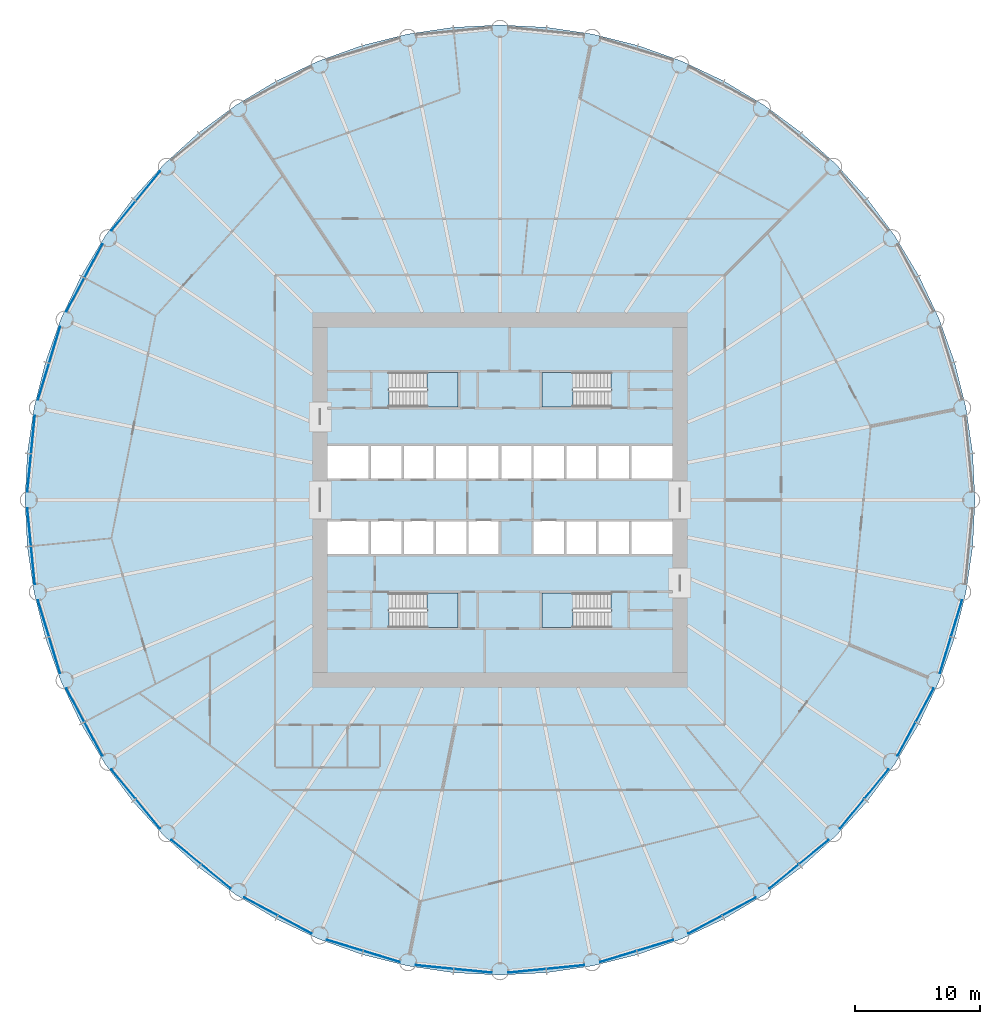
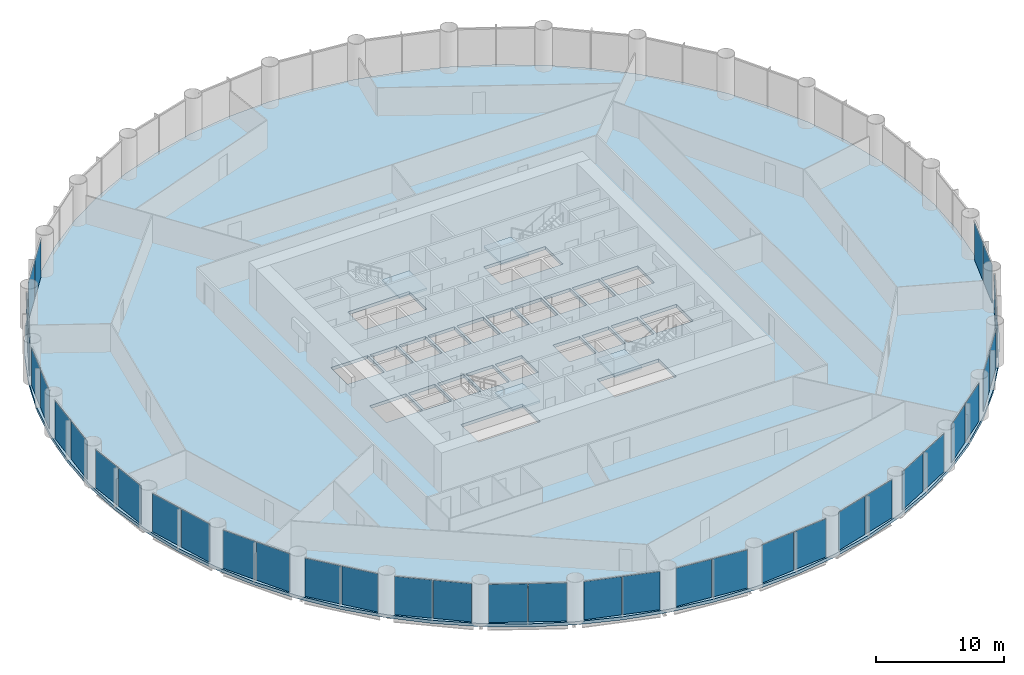
# One storey, part 8 of 15: 38 plates, 5 slabs, 23 elements without a shape of their own.
"""IFC4 building model written with IfcOpenShell, lengths in metres."""

from ifc_helpers import new_model, si_unit, direction, frame, origin, origin_2d, place, context, subcontext, project, spatial, polyline, rectangle, outline, extrude, material, layer, layer_set, type_object, element, aggregate, save


model = new_model("IFC4")

# Units and contexts
model_context = context("Model", 3, precision=1e-05, world=origin(), true_north=direction((0.0, 1.0)))
body_context = subcontext(model_context, "Body", "Model", "MODEL_VIEW")
ifc_project = project(units=[si_unit("LENGTHUNIT", "METRE"), si_unit("AREAUNIT", "SQUARE_METRE"), si_unit("VOLUMEUNIT", "CUBIC_METRE"), si_unit("PLANEANGLEUNIT", "RADIAN"), si_unit("MASSUNIT", "GRAM", prefix="KILO")], contexts=[model_context])

# Site, building, storey
site_placement = place(None, origin())
site = spatial("IfcSite", under=ifc_project, at=site_placement, CompositionType="ELEMENT")
building_placement = place(site_placement, origin())
building = spatial("IfcBuilding", under=site, at=building_placement, Name="Corvane Civic Tower", CompositionType="ELEMENT")
storey_placement = place(building_placement, frame((0.0, 0.0, 41.0)))
storey = spatial("IfcBuildingStorey", under=building, at=storey_placement, Name="L08", CompositionType="ELEMENT", Elevation=41.0)

# Slab
ifc_material_1 = material(Name="Concrete C40/50", Category="concrete")
ifc_layer_1 = layer(ifc_material_1, 0.300048828125)
ifc_layer_set_1 = layer_set([ifc_layer_1], Name="Concrete C40/50")
slab_type_1 = type_object("IfcSlabType", Name="FLOOR SLAB 300", PredefinedType="FLOOR", material=ifc_layer_set_1)
slab_1_placement = place(storey_placement, frame((0.0, 0.0, -0.300048828125)))
element("IfcSlab", 1, at=slab_1_placement, inside=storey, type_object=slab_type_1, Name="SLB-L08", PredefinedType="FLOOR", context=body_context, shape_type="SweptSolid", body=[
    extrude(outline(polyline([(0.0, 38.0), (-3.724609375, 37.817138671875), (-7.413330078125, 37.269775390625), (-11.03076171875, 36.36376953125), (-14.5419921875, 35.107421875), (-17.9130859375, 33.512939453125), (-21.111572265625, 31.595947265625), (-24.10693359375, 29.37451171875), (-26.8701171875, 26.8701171875), (-29.37451171875, 24.10693359375), (-31.595947265625, 21.111572265625), (-33.512939453125, 17.9130859375), (-35.107421875, 14.5419921875), (-36.36376953125, 11.03076171875), (-37.269775390625, 7.413330078125), (-37.817138671875, 3.724609375), (-38.0, 0.0), (-37.817138671875, -3.724609375), (-37.269775390625, -7.413330078125), (-36.36376953125, -11.03076171875), (-35.107421875, -14.5419921875), (-33.512939453125, -17.9130859375), (-31.595947265625, -21.111572265625), (-29.37451171875, -24.10693359375), (-26.8701171875, -26.8701171875), (-24.10693359375, -29.37451171875), (-21.111572265625, -31.595947265625), (-17.9130859375, -33.512939453125), (-14.5419921875, -35.107421875), (-11.03076171875, -36.36376953125), (-7.413330078125, -37.269775390625), (-3.724609375, -37.817138671875), (0.0, -38.0), (3.724609375, -37.817138671875), (7.413330078125, -37.269775390625), (11.03076171875, -36.36376953125), (14.5419921875, -35.107421875), (17.9130859375, -33.512939453125), (21.111572265625, -31.595947265625), (24.10693359375, -29.37451171875), (26.8701171875, -26.8701171875), (29.37451171875, -24.10693359375), (31.595947265625, -21.111572265625), (33.512939453125, -17.9130859375), (35.107421875, -14.5419921875), (36.36376953125, -11.03076171875), (37.269775390625, -7.413330078125), (37.817138671875, -3.724609375), (38.0, 0.0), (37.817138671875, 3.724609375), (37.269775390625, 7.413330078125), (36.36376953125, 11.03076171875), (35.107421875, 14.5419921875), (33.512939453125, 17.9130859375), (31.595947265625, 21.111572265625), (29.37451171875, 24.10693359375), (26.8701171875, 26.8701171875), (24.10693359375, 29.37451171875), (21.111572265625, 31.595947265625), (17.9130859375, 33.512939453125), (14.5419921875, 35.107421875), (11.03076171875, 36.36376953125), (7.413330078125, 37.269775390625), (3.724609375, 37.817138671875), (0.0, 38.0)]), holes=[polyline([(-13.800048828125, 4.300048828125), (-10.5, 4.300048828125), (-10.5, 1.699951171875), (-13.800048828125, 1.699951171875), (-13.800048828125, 4.300048828125)]), polyline([(-7.89990234375, 1.699951171875), (-10.300048828125, 1.699951171875), (-10.300048828125, 4.300048828125), (-7.89990234375, 4.300048828125), (-7.89990234375, 1.699951171875)]), polyline([(-7.699951171875, 4.300048828125), (-5.300048828125, 4.300048828125), (-5.300048828125, 1.699951171875), (-7.699951171875, 1.699951171875), (-7.699951171875, 4.300048828125)]), polyline([(-5.10009765625, 4.300048828125), (-2.699951171875, 4.300048828125), (-2.699951171875, 1.699951171875), (-5.10009765625, 1.699951171875), (-5.10009765625, 4.300048828125)]), polyline([(-2.5, 4.300048828125), (-0.10009765625, 4.300048828125), (-0.10009765625, 1.699951171875), (-2.5, 1.699951171875), (-2.5, 4.300048828125)]), polyline([(2.5, 4.300048828125), (2.5, 1.699951171875), (0.10009765625, 1.699951171875), (0.10009765625, 4.300048828125), (2.5, 4.300048828125)]), polyline([(2.699951171875, 4.300048828125), (5.10009765625, 4.300048828125), (5.10009765625, 1.699951171875), (2.699951171875, 1.699951171875), (2.699951171875, 4.300048828125)]), polyline([(5.300048828125, 4.300048828125), (7.699951171875, 4.300048828125), (7.699951171875, 1.699951171875), (5.300048828125, 1.699951171875), (5.300048828125, 4.300048828125)]), polyline([(7.89990234375, 4.300048828125), (10.300048828125, 4.300048828125), (10.300048828125, 1.699951171875), (7.89990234375, 1.699951171875), (7.89990234375, 4.300048828125)]), polyline([(13.800048828125, 1.699951171875), (10.5, 1.699951171875), (10.5, 4.300048828125), (13.800048828125, 4.300048828125), (13.800048828125, 1.699951171875)]), polyline([(-13.800048828125, -1.699951171875), (-10.5, -1.699951171875), (-10.5, -4.300048828125), (-13.800048828125, -4.300048828125), (-13.800048828125, -1.699951171875)]), polyline([(-10.300048828125, -1.699951171875), (-7.89990234375, -1.699951171875), (-7.89990234375, -4.300048828125), (-10.300048828125, -4.300048828125), (-10.300048828125, -1.699951171875)]), polyline([(-7.699951171875, -1.699951171875), (-5.300048828125, -1.699951171875), (-5.300048828125, -4.300048828125), (-7.699951171875, -4.300048828125), (-7.699951171875, -1.699951171875)]), polyline([(-5.10009765625, -1.699951171875), (-2.699951171875, -1.699951171875), (-2.699951171875, -4.300048828125), (-5.10009765625, -4.300048828125), (-5.10009765625, -1.699951171875)]), polyline([(-2.5, -1.699951171875), (-0.10009765625, -1.699951171875), (-0.10009765625, -4.300048828125), (-2.5, -4.300048828125), (-2.5, -1.699951171875)]), polyline([(2.699951171875, -1.699951171875), (5.10009765625, -1.699951171875), (5.10009765625, -4.300048828125), (2.699951171875, -4.300048828125), (2.699951171875, -1.699951171875)]), polyline([(5.300048828125, -1.699951171875), (7.699951171875, -1.699951171875), (7.699951171875, -4.300048828125), (5.300048828125, -4.300048828125), (5.300048828125, -1.699951171875)]), polyline([(7.89990234375, -4.300048828125), (7.89990234375, -1.699951171875), (10.300048828125, -1.699951171875), (10.300048828125, -4.300048828125), (7.89990234375, -4.300048828125)]), polyline([(13.800048828125, -4.300048828125), (10.5, -4.300048828125), (10.5, -1.699951171875), (13.800048828125, -1.699951171875), (13.800048828125, -4.300048828125)]), polyline([(8.889892578125, 10.199951171875), (8.889892578125, 7.449951171875), (3.35009765625, 7.449951171875), (3.35009765625, 10.199951171875), (8.889892578125, 10.199951171875)]), polyline([(-8.889892578125, 7.449951171875), (-8.889892578125, 10.199951171875), (-3.35009765625, 10.199951171875), (-3.35009765625, 7.449951171875), (-8.889892578125, 7.449951171875)]), polyline([(8.889892578125, -7.449951171875), (8.889892578125, -10.199951171875), (3.35009765625, -10.199951171875), (3.35009765625, -7.449951171875), (8.889892578125, -7.449951171875)]), polyline([(-8.889892578125, -10.199951171875), (-8.889892578125, -7.449951171875), (-3.35009765625, -7.449951171875), (-3.35009765625, -10.199951171875), (-8.889892578125, -10.199951171875)])]), origin(), (0.0, 0.0, 1.0), 0.300048828125),
])

# Stair, slab
ifc_material_2 = material(Name="Concrete C40/50", Category="concrete")
stair_type = type_object("IfcStairType", Name="ST-STAIR-HALFTURN", PredefinedType="HALF_TURN_STAIR", material=ifc_material_2)
stair_1_placement = place(storey_placement, origin())
stair_1 = element("IfcStair", 2, at=stair_1_placement, inside=storey, type_object=stair_type, Name="L08 Exit stair ST1", PredefinedType="HALF_TURN_STAIR")
ifc_material_3 = material(Name="Concrete C40/50", Category="concrete")
ifc_layer_2 = layer(ifc_material_3, 0.199951171875)
ifc_layer_set_2 = layer_set([ifc_layer_2], Name="Concrete C40/50")
slab_type_2 = type_object("IfcSlabType", Name="ST-LANDING-RC", PredefinedType="LANDING", material=ifc_layer_set_2)
slab_2_placement = place(storey_placement, frame((0.0, 0.0, 1.800048828125)))
slab_2 = element("IfcSlab", 3, at=slab_2_placement, type_object=slab_type_2, Name="ST1 landing 1", PredefinedType="LANDING", context=body_context, shape_type="SweptSolid", body=[
    extrude(outline(polyline([(5.820068359375, 10.199951171875), (3.35009765625, 10.199951171875), (3.35009765625, 7.449951171875), (5.820068359375, 7.449951171875), (5.820068359375, 10.199951171875)])), origin(), (0.0, 0.0, 1.0), 0.199951171875),
])
aggregate(stair_1, [slab_2])

stair_2_placement = place(storey_placement, origin())
stair_2 = element("IfcStair", 4, at=stair_2_placement, inside=storey, type_object=stair_type, Name="L08 Exit stair ST2", PredefinedType="HALF_TURN_STAIR")
slab_3_placement = place(storey_placement, frame((0.0, 0.0, 1.800048828125)))
slab_3 = element("IfcSlab", 5, at=slab_3_placement, type_object=slab_type_2, Name="ST2 landing 1", PredefinedType="LANDING", context=body_context, shape_type="SweptSolid", body=[
    extrude(outline(polyline([(5.820068359375, -7.449951171875), (3.35009765625, -7.449951171875), (3.35009765625, -10.199951171875), (5.820068359375, -10.199951171875), (5.820068359375, -7.449951171875)])), origin(), (0.0, 0.0, 1.0), 0.199951171875),
])
aggregate(stair_2, [slab_3])

stair_3_placement = place(storey_placement, origin())
stair_3 = element("IfcStair", 6, at=stair_3_placement, inside=storey, type_object=stair_type, Name="L08 Exit stair ST3", PredefinedType="HALF_TURN_STAIR")
slab_4_placement = place(storey_placement, frame((0.0, 0.0, 1.800048828125)))
slab_4 = element("IfcSlab", 7, at=slab_4_placement, type_object=slab_type_2, Name="ST3 landing 1", PredefinedType="LANDING", context=body_context, shape_type="SweptSolid", body=[
    extrude(outline(polyline([(-5.820068359375, -10.199951171875), (-3.35009765625, -10.199951171875), (-3.35009765625, -7.449951171875), (-5.820068359375, -7.449951171875), (-5.820068359375, -10.199951171875)])), origin(), (0.0, 0.0, 1.0), 0.199951171875),
])
aggregate(stair_3, [slab_4])

stair_4_placement = place(storey_placement, origin())
stair_4 = element("IfcStair", 8, at=stair_4_placement, inside=storey, type_object=stair_type, Name="L08 Exit stair ST4", PredefinedType="HALF_TURN_STAIR")
slab_5_placement = place(storey_placement, frame((0.0, 0.0, 1.800048828125)))
slab_5 = element("IfcSlab", 9, at=slab_5_placement, type_object=slab_type_2, Name="ST4 landing 1", PredefinedType="LANDING", context=body_context, shape_type="SweptSolid", body=[
    extrude(outline(polyline([(-5.820068359375, 7.449951171875), (-3.35009765625, 7.449951171875), (-3.35009765625, 10.199951171875), (-5.820068359375, 10.199951171875), (-5.820068359375, 7.449951171875)])), origin(), (0.0, 0.0, 1.0), 0.199951171875),
])
aggregate(stair_4, [slab_5])

# Curtain wall, plates
ifc_material_4 = material(Name="Anodised aluminium bronze", Category="aluminium")
curtain_wall_type = type_object("IfcCurtainWallType", Name="TOWER CW-T1 STICK CURTAIN WALL", PredefinedType="NOTDEFINED", material=ifc_material_4)
curtain_wall_1_placement = place(storey_placement, origin())
curtain_wall_1 = element("IfcCurtainWall", 10, at=curtain_wall_1_placement, inside=storey, type_object=curtain_wall_type, Name="Curtain wall CW-T1 L08 bay 10", PredefinedType="NOTDEFINED")
ifc_material_5 = material(Name="Tinted glass", Category="glass")
ifc_layer_3 = layer(ifc_material_5, 0.035888671875)
ifc_layer_set_3 = layer_set([ifc_layer_3], Name="Tinted glass")
plate_type = type_object("IfcPlateType", Name="TOWER CW-T1 PANEL IGU36", PredefinedType="CURTAIN_PANEL", material=ifc_layer_set_3)
plate_1_placement = place(storey_placement, frame((36.522705078125, -9.46533203125, 0.0), z_axis=(0.0, 0.0, 1.0), x_axis=(-0.290278397654, -0.956942240606, 0.0)))
plate_1 = element("IfcPlate", 11, at=plate_1_placement, type_object=plate_type, Name="Glass panel CW-T1 L08 10.1", PredefinedType="CURTAIN_PANEL", context=body_context, shape_type="SweptSolid", body=[
    extrude(rectangle(XDim=3.008544921875, YDim=0.035888671875, at=origin_2d()), origin(), (0.0, 0.0, 1.0), 3.6298828125),
])
plate_2_placement = place(storey_placement, frame((35.6259765625, -12.4208984375, 0.0), z_axis=(0.0, 0.0, 1.0), x_axis=(-0.290278397654, -0.956942240606, 0.0)))
plate_2 = element("IfcPlate", 12, at=plate_2_placement, type_object=plate_type, Name="Glass panel CW-T1 L08 10.2", PredefinedType="CURTAIN_PANEL", context=body_context, shape_type="SweptSolid", body=[
    extrude(rectangle(XDim=3.008544921875, YDim=0.035888671875, at=origin_2d()), origin(), (0.0, 0.0, 1.0), 3.6298828125),
])
aggregate(curtain_wall_1, [plate_1, plate_2])

curtain_wall_2_placement = place(storey_placement, origin())
curtain_wall_2 = element("IfcCurtainWall", 13, at=curtain_wall_2_placement, inside=storey, type_object=curtain_wall_type, Name="Curtain wall CW-T1 L08 bay 11", PredefinedType="NOTDEFINED")
plate_3_placement = place(storey_placement, frame((33.974365234375, -16.40869140625, 0.0), z_axis=(0.0, 0.0, 1.0), x_axis=(-0.471403725359, -0.881917528864, 0.0)))
plate_3 = element("IfcPlate", 14, at=plate_3_placement, type_object=plate_type, Name="Glass panel CW-T1 L08 11.1", PredefinedType="CURTAIN_PANEL", context=body_context, shape_type="SweptSolid", body=[
    extrude(rectangle(XDim=3.008544921875, YDim=0.035888671875, at=origin_2d()), origin(), (0.0, 0.0, 1.0), 3.6298828125),
])
plate_4_placement = place(storey_placement, frame((32.518310546875, -19.132568359375, 0.0), z_axis=(0.0, 0.0, 1.0), x_axis=(-0.471403725359, -0.881917528864, 0.0)))
plate_4 = element("IfcPlate", 15, at=plate_4_placement, type_object=plate_type, Name="Glass panel CW-T1 L08 11.2", PredefinedType="CURTAIN_PANEL", context=body_context, shape_type="SweptSolid", body=[
    extrude(rectangle(XDim=3.008544921875, YDim=0.035888671875, at=origin_2d()), origin(), (0.0, 0.0, 1.0), 3.6298828125),
])
aggregate(curtain_wall_2, [plate_3, plate_4])

curtain_wall_3_placement = place(storey_placement, origin())
curtain_wall_3 = element("IfcCurtainWall", 16, at=curtain_wall_3_placement, inside=storey, type_object=curtain_wall_type, Name="Curtain wall CW-T1 L08 bay 12", PredefinedType="NOTDEFINED")
plate_5_placement = place(storey_placement, frame((30.120361328125, -22.721435546875, 0.0), z_axis=(0.0, 0.0, 1.0), x_axis=(-0.634397218569, -0.773007224463, 0.0)))
plate_5 = element("IfcPlate", 17, at=plate_5_placement, type_object=plate_type, Name="Glass panel CW-T1 L08 12.1", PredefinedType="CURTAIN_PANEL", context=body_context, shape_type="SweptSolid", body=[
    extrude(rectangle(XDim=3.008544921875, YDim=0.035888671875, at=origin_2d()), origin(), (0.0, 0.0, 1.0), 3.6298828125),
])
plate_6_placement = place(storey_placement, frame((28.160888671875, -25.10888671875, 0.0), z_axis=(0.0, 0.0, 1.0), x_axis=(-0.634397218569, -0.773007224463, 0.0)))
plate_6 = element("IfcPlate", 18, at=plate_6_placement, type_object=plate_type, Name="Glass panel CW-T1 L08 12.2", PredefinedType="CURTAIN_PANEL", context=body_context, shape_type="SweptSolid", body=[
    extrude(rectangle(XDim=3.008544921875, YDim=0.035888671875, at=origin_2d()), origin(), (0.0, 0.0, 1.0), 3.6298828125),
])
aggregate(curtain_wall_3, [plate_5, plate_6])

curtain_wall_4_placement = place(storey_placement, origin())
curtain_wall_4 = element("IfcCurtainWall", 19, at=curtain_wall_4_placement, inside=storey, type_object=curtain_wall_type, Name="Curtain wall CW-T1 L08 bay 13", PredefinedType="NOTDEFINED")
plate_7_placement = place(storey_placement, frame((25.10888671875, -28.160888671875, 0.0), z_axis=(0.0, 0.0, 1.0), x_axis=(-0.773007224463, -0.634397218569, 0.0)))
plate_7 = element("IfcPlate", 20, at=plate_7_placement, type_object=plate_type, Name="Glass panel CW-T1 L08 13.1", PredefinedType="CURTAIN_PANEL", context=body_context, shape_type="SweptSolid", body=[
    extrude(rectangle(XDim=3.008544921875, YDim=0.035888671875, at=origin_2d()), origin(), (0.0, 0.0, 1.0), 3.6298828125),
])
plate_8_placement = place(storey_placement, frame((22.721435546875, -30.120361328125, 0.0), z_axis=(0.0, 0.0, 1.0), x_axis=(-0.773007224463, -0.634397218569, 0.0)))
plate_8 = element("IfcPlate", 21, at=plate_8_placement, type_object=plate_type, Name="Glass panel CW-T1 L08 13.2", PredefinedType="CURTAIN_PANEL", context=body_context, shape_type="SweptSolid", body=[
    extrude(rectangle(XDim=3.008544921875, YDim=0.035888671875, at=origin_2d()), origin(), (0.0, 0.0, 1.0), 3.6298828125),
])
aggregate(curtain_wall_4, [plate_7, plate_8])

curtain_wall_5_placement = place(storey_placement, origin())
curtain_wall_5 = element("IfcCurtainWall", 22, at=curtain_wall_5_placement, inside=storey, type_object=curtain_wall_type, Name="Curtain wall CW-T1 L08 bay 14", PredefinedType="NOTDEFINED")
plate_9_placement = place(storey_placement, frame((19.132568359375, -32.518310546875, 0.0), z_axis=(0.0, 0.0, 1.0), x_axis=(-0.881917528864, -0.471403725359, 0.0)))
plate_9 = element("IfcPlate", 23, at=plate_9_placement, type_object=plate_type, Name="Glass panel CW-T1 L08 14.1", PredefinedType="CURTAIN_PANEL", context=body_context, shape_type="SweptSolid", body=[
    extrude(rectangle(XDim=3.008544921875, YDim=0.035888671875, at=origin_2d()), origin(), (0.0, 0.0, 1.0), 3.6298828125),
])
plate_10_placement = place(storey_placement, frame((16.40869140625, -33.974365234375, 0.0), z_axis=(0.0, 0.0, 1.0), x_axis=(-0.881917528864, -0.471403725359, 0.0)))
plate_10 = element("IfcPlate", 24, at=plate_10_placement, type_object=plate_type, Name="Glass panel CW-T1 L08 14.2", PredefinedType="CURTAIN_PANEL", context=body_context, shape_type="SweptSolid", body=[
    extrude(rectangle(XDim=3.008544921875, YDim=0.035888671875, at=origin_2d()), origin(), (0.0, 0.0, 1.0), 3.6298828125),
])
aggregate(curtain_wall_5, [plate_9, plate_10])

curtain_wall_6_placement = place(storey_placement, origin())
curtain_wall_6 = element("IfcCurtainWall", 25, at=curtain_wall_6_placement, inside=storey, type_object=curtain_wall_type, Name="Curtain wall CW-T1 L08 bay 15", PredefinedType="NOTDEFINED")
plate_11_placement = place(storey_placement, frame((12.4208984375, -35.6259765625, 0.0), z_axis=(0.0, 0.0, 1.0), x_axis=(-0.956942240606, -0.290278397654, 0.0)))
plate_11 = element("IfcPlate", 26, at=plate_11_placement, type_object=plate_type, Name="Glass panel CW-T1 L08 15.1", PredefinedType="CURTAIN_PANEL", context=body_context, shape_type="SweptSolid", body=[
    extrude(rectangle(XDim=3.008544921875, YDim=0.035888671875, at=origin_2d()), origin(), (0.0, 0.0, 1.0), 3.6298828125),
])
plate_12_placement = place(storey_placement, frame((9.46533203125, -36.522705078125, 0.0), z_axis=(0.0, 0.0, 1.0), x_axis=(-0.956942240606, -0.290278397654, 0.0)))
plate_12 = element("IfcPlate", 27, at=plate_12_placement, type_object=plate_type, Name="Glass panel CW-T1 L08 15.2", PredefinedType="CURTAIN_PANEL", context=body_context, shape_type="SweptSolid", body=[
    extrude(rectangle(XDim=3.008544921875, YDim=0.035888671875, at=origin_2d()), origin(), (0.0, 0.0, 1.0), 3.6298828125),
])
aggregate(curtain_wall_6, [plate_11, plate_12])

curtain_wall_7_placement = place(storey_placement, origin())
curtain_wall_7 = element("IfcCurtainWall", 28, at=curtain_wall_7_placement, inside=storey, type_object=curtain_wall_type, Name="Curtain wall CW-T1 L08 bay 16", PredefinedType="NOTDEFINED")
plate_13_placement = place(storey_placement, frame((5.23193359375, -37.36474609375, 0.0), z_axis=(0.0, 0.0, 1.0), x_axis=(-0.995185800248, -0.098006239521, 0.0)))
plate_13 = element("IfcPlate", 29, at=plate_13_placement, type_object=plate_type, Name="Glass panel CW-T1 L08 16.1", PredefinedType="CURTAIN_PANEL", context=body_context, shape_type="SweptSolid", body=[
    extrude(rectangle(XDim=3.008544921875, YDim=0.035888671875, at=origin_2d()), origin(), (0.0, 0.0, 1.0), 3.6298828125),
])
plate_14_placement = place(storey_placement, frame((2.158203125, -37.667236328125, 0.0), z_axis=(0.0, 0.0, 1.0), x_axis=(-0.995185800248, -0.098006239521, 0.0)))
plate_14 = element("IfcPlate", 30, at=plate_14_placement, type_object=plate_type, Name="Glass panel CW-T1 L08 16.2", PredefinedType="CURTAIN_PANEL", context=body_context, shape_type="SweptSolid", body=[
    extrude(rectangle(XDim=3.008544921875, YDim=0.035888671875, at=origin_2d()), origin(), (0.0, 0.0, 1.0), 3.6298828125),
])
aggregate(curtain_wall_7, [plate_13, plate_14])

curtain_wall_8_placement = place(storey_placement, origin())
curtain_wall_8 = element("IfcCurtainWall", 31, at=curtain_wall_8_placement, inside=storey, type_object=curtain_wall_type, Name="Curtain wall CW-T1 L08 bay 17", PredefinedType="NOTDEFINED")
plate_15_placement = place(storey_placement, frame((-2.158203125, -37.667236328125, 0.0), z_axis=(0.0, 0.0, 1.0), x_axis=(-0.995185800248, 0.098006239521, 0.0)))
plate_15 = element("IfcPlate", 32, at=plate_15_placement, type_object=plate_type, Name="Glass panel CW-T1 L08 17.1", PredefinedType="CURTAIN_PANEL", context=body_context, shape_type="SweptSolid", body=[
    extrude(rectangle(XDim=3.008544921875, YDim=0.035888671875, at=origin_2d()), origin(), (0.0, 0.0, 1.0), 3.6298828125),
])
plate_16_placement = place(storey_placement, frame((-5.23193359375, -37.36474609375, 0.0), z_axis=(0.0, 0.0, 1.0), x_axis=(-0.995185800248, 0.098006239521, 0.0)))
plate_16 = element("IfcPlate", 33, at=plate_16_placement, type_object=plate_type, Name="Glass panel CW-T1 L08 17.2", PredefinedType="CURTAIN_PANEL", context=body_context, shape_type="SweptSolid", body=[
    extrude(rectangle(XDim=3.008544921875, YDim=0.035888671875, at=origin_2d()), origin(), (0.0, 0.0, 1.0), 3.6298828125),
])
aggregate(curtain_wall_8, [plate_15, plate_16])

curtain_wall_9_placement = place(storey_placement, origin())
curtain_wall_9 = element("IfcCurtainWall", 34, at=curtain_wall_9_placement, inside=storey, type_object=curtain_wall_type, Name="Curtain wall CW-T1 L08 bay 18", PredefinedType="NOTDEFINED")
plate_17_placement = place(storey_placement, frame((-9.46533203125, -36.522705078125, 0.0), z_axis=(0.0, 0.0, 1.0), x_axis=(-0.956942240606, 0.290278397654, 0.0)))
plate_17 = element("IfcPlate", 35, at=plate_17_placement, type_object=plate_type, Name="Glass panel CW-T1 L08 18.1", PredefinedType="CURTAIN_PANEL", context=body_context, shape_type="SweptSolid", body=[
    extrude(rectangle(XDim=3.008544921875, YDim=0.035888671875, at=origin_2d()), origin(), (0.0, 0.0, 1.0), 3.6298828125),
])
plate_18_placement = place(storey_placement, frame((-12.4208984375, -35.6259765625, 0.0), z_axis=(0.0, 0.0, 1.0), x_axis=(-0.956942240606, 0.290278397654, 0.0)))
plate_18 = element("IfcPlate", 36, at=plate_18_placement, type_object=plate_type, Name="Glass panel CW-T1 L08 18.2", PredefinedType="CURTAIN_PANEL", context=body_context, shape_type="SweptSolid", body=[
    extrude(rectangle(XDim=3.008544921875, YDim=0.035888671875, at=origin_2d()), origin(), (0.0, 0.0, 1.0), 3.6298828125),
])
aggregate(curtain_wall_9, [plate_17, plate_18])

curtain_wall_10_placement = place(storey_placement, origin())
curtain_wall_10 = element("IfcCurtainWall", 37, at=curtain_wall_10_placement, inside=storey, type_object=curtain_wall_type, Name="Curtain wall CW-T1 L08 bay 19", PredefinedType="NOTDEFINED")
plate_19_placement = place(storey_placement, frame((-16.40869140625, -33.974365234375, 0.0), z_axis=(0.0, 0.0, 1.0), x_axis=(-0.881917528864, 0.471403725359, 0.0)))
plate_19 = element("IfcPlate", 38, at=plate_19_placement, type_object=plate_type, Name="Glass panel CW-T1 L08 19.1", PredefinedType="CURTAIN_PANEL", context=body_context, shape_type="SweptSolid", body=[
    extrude(rectangle(XDim=3.008544921875, YDim=0.035888671875, at=origin_2d()), origin(), (0.0, 0.0, 1.0), 3.6298828125),
])
plate_20_placement = place(storey_placement, frame((-19.132568359375, -32.518310546875, 0.0), z_axis=(0.0, 0.0, 1.0), x_axis=(-0.881917528864, 0.471403725359, 0.0)))
plate_20 = element("IfcPlate", 39, at=plate_20_placement, type_object=plate_type, Name="Glass panel CW-T1 L08 19.2", PredefinedType="CURTAIN_PANEL", context=body_context, shape_type="SweptSolid", body=[
    extrude(rectangle(XDim=3.008544921875, YDim=0.035888671875, at=origin_2d()), origin(), (0.0, 0.0, 1.0), 3.6298828125),
])
aggregate(curtain_wall_10, [plate_19, plate_20])

curtain_wall_11_placement = place(storey_placement, origin())
curtain_wall_11 = element("IfcCurtainWall", 40, at=curtain_wall_11_placement, inside=storey, type_object=curtain_wall_type, Name="Curtain wall CW-T1 L08 bay 20", PredefinedType="NOTDEFINED")
plate_21_placement = place(storey_placement, frame((-22.721435546875, -30.120361328125, 0.0), z_axis=(0.0, 0.0, 1.0), x_axis=(-0.773007224463, 0.634397218569, 0.0)))
plate_21 = element("IfcPlate", 41, at=plate_21_placement, type_object=plate_type, Name="Glass panel CW-T1 L08 20.1", PredefinedType="CURTAIN_PANEL", context=body_context, shape_type="SweptSolid", body=[
    extrude(rectangle(XDim=3.008544921875, YDim=0.035888671875, at=origin_2d()), origin(), (0.0, 0.0, 1.0), 3.6298828125),
])
plate_22_placement = place(storey_placement, frame((-25.10888671875, -28.160888671875, 0.0), z_axis=(0.0, 0.0, 1.0), x_axis=(-0.773007224463, 0.634397218569, 0.0)))
plate_22 = element("IfcPlate", 42, at=plate_22_placement, type_object=plate_type, Name="Glass panel CW-T1 L08 20.2", PredefinedType="CURTAIN_PANEL", context=body_context, shape_type="SweptSolid", body=[
    extrude(rectangle(XDim=3.008544921875, YDim=0.035888671875, at=origin_2d()), origin(), (0.0, 0.0, 1.0), 3.6298828125),
])
aggregate(curtain_wall_11, [plate_21, plate_22])

curtain_wall_12_placement = place(storey_placement, origin())
curtain_wall_12 = element("IfcCurtainWall", 43, at=curtain_wall_12_placement, inside=storey, type_object=curtain_wall_type, Name="Curtain wall CW-T1 L08 bay 21", PredefinedType="NOTDEFINED")
plate_23_placement = place(storey_placement, frame((-28.160888671875, -25.10888671875, 0.0), z_axis=(0.0, 0.0, 1.0), x_axis=(-0.634397218569, 0.773007224463, 0.0)))
plate_23 = element("IfcPlate", 44, at=plate_23_placement, type_object=plate_type, Name="Glass panel CW-T1 L08 21.1", PredefinedType="CURTAIN_PANEL", context=body_context, shape_type="SweptSolid", body=[
    extrude(rectangle(XDim=3.008544921875, YDim=0.035888671875, at=origin_2d()), origin(), (0.0, 0.0, 1.0), 3.6298828125),
])
plate_24_placement = place(storey_placement, frame((-30.120361328125, -22.721435546875, 0.0), z_axis=(0.0, 0.0, 1.0), x_axis=(-0.634397218569, 0.773007224463, 0.0)))
plate_24 = element("IfcPlate", 45, at=plate_24_placement, type_object=plate_type, Name="Glass panel CW-T1 L08 21.2", PredefinedType="CURTAIN_PANEL", context=body_context, shape_type="SweptSolid", body=[
    extrude(rectangle(XDim=3.008544921875, YDim=0.035888671875, at=origin_2d()), origin(), (0.0, 0.0, 1.0), 3.6298828125),
])
aggregate(curtain_wall_12, [plate_23, plate_24])

curtain_wall_13_placement = place(storey_placement, origin())
curtain_wall_13 = element("IfcCurtainWall", 46, at=curtain_wall_13_placement, inside=storey, type_object=curtain_wall_type, Name="Curtain wall CW-T1 L08 bay 22", PredefinedType="NOTDEFINED")
plate_25_placement = place(storey_placement, frame((-32.518310546875, -19.132568359375, 0.0), z_axis=(0.0, 0.0, 1.0), x_axis=(-0.471403725359, 0.881917528864, 0.0)))
plate_25 = element("IfcPlate", 47, at=plate_25_placement, type_object=plate_type, Name="Glass panel CW-T1 L08 22.1", PredefinedType="CURTAIN_PANEL", context=body_context, shape_type="SweptSolid", body=[
    extrude(rectangle(XDim=3.008544921875, YDim=0.035888671875, at=origin_2d()), origin(), (0.0, 0.0, 1.0), 3.6298828125),
])
plate_26_placement = place(storey_placement, frame((-33.974365234375, -16.40869140625, 0.0), z_axis=(0.0, 0.0, 1.0), x_axis=(-0.471403725359, 0.881917528864, 0.0)))
plate_26 = element("IfcPlate", 48, at=plate_26_placement, type_object=plate_type, Name="Glass panel CW-T1 L08 22.2", PredefinedType="CURTAIN_PANEL", context=body_context, shape_type="SweptSolid", body=[
    extrude(rectangle(XDim=3.008544921875, YDim=0.035888671875, at=origin_2d()), origin(), (0.0, 0.0, 1.0), 3.6298828125),
])
aggregate(curtain_wall_13, [plate_25, plate_26])

curtain_wall_14_placement = place(storey_placement, origin())
curtain_wall_14 = element("IfcCurtainWall", 49, at=curtain_wall_14_placement, inside=storey, type_object=curtain_wall_type, Name="Curtain wall CW-T1 L08 bay 23", PredefinedType="NOTDEFINED")
plate_27_placement = place(storey_placement, frame((-35.6259765625, -12.4208984375, 0.0), z_axis=(0.0, 0.0, 1.0), x_axis=(-0.290278397654, 0.956942240606, 0.0)))
plate_27 = element("IfcPlate", 50, at=plate_27_placement, type_object=plate_type, Name="Glass panel CW-T1 L08 23.1", PredefinedType="CURTAIN_PANEL", context=body_context, shape_type="SweptSolid", body=[
    extrude(rectangle(XDim=3.008544921875, YDim=0.035888671875, at=origin_2d()), origin(), (0.0, 0.0, 1.0), 3.6298828125),
])
plate_28_placement = place(storey_placement, frame((-36.522705078125, -9.46533203125, 0.0), z_axis=(0.0, 0.0, 1.0), x_axis=(-0.290278397654, 0.956942240606, 0.0)))
plate_28 = element("IfcPlate", 51, at=plate_28_placement, type_object=plate_type, Name="Glass panel CW-T1 L08 23.2", PredefinedType="CURTAIN_PANEL", context=body_context, shape_type="SweptSolid", body=[
    extrude(rectangle(XDim=3.008544921875, YDim=0.035888671875, at=origin_2d()), origin(), (0.0, 0.0, 1.0), 3.6298828125),
])
aggregate(curtain_wall_14, [plate_27, plate_28])

curtain_wall_15_placement = place(storey_placement, origin())
curtain_wall_15 = element("IfcCurtainWall", 52, at=curtain_wall_15_placement, inside=storey, type_object=curtain_wall_type, Name="Curtain wall CW-T1 L08 bay 24", PredefinedType="NOTDEFINED")
plate_29_placement = place(storey_placement, frame((-37.36474609375, -5.23193359375, 0.0), z_axis=(0.0, 0.0, 1.0), x_axis=(-0.098006239521, 0.995185800248, 0.0)))
plate_29 = element("IfcPlate", 53, at=plate_29_placement, type_object=plate_type, Name="Glass panel CW-T1 L08 24.1", PredefinedType="CURTAIN_PANEL", context=body_context, shape_type="SweptSolid", body=[
    extrude(rectangle(XDim=3.008544921875, YDim=0.035888671875, at=origin_2d()), origin(), (0.0, 0.0, 1.0), 3.6298828125),
])
plate_30_placement = place(storey_placement, frame((-37.667236328125, -2.158203125, 0.0), z_axis=(0.0, 0.0, 1.0), x_axis=(-0.098006239521, 0.995185800248, 0.0)))
plate_30 = element("IfcPlate", 54, at=plate_30_placement, type_object=plate_type, Name="Glass panel CW-T1 L08 24.2", PredefinedType="CURTAIN_PANEL", context=body_context, shape_type="SweptSolid", body=[
    extrude(rectangle(XDim=3.008544921875, YDim=0.035888671875, at=origin_2d()), origin(), (0.0, 0.0, 1.0), 3.6298828125),
])
aggregate(curtain_wall_15, [plate_29, plate_30])

curtain_wall_16_placement = place(storey_placement, origin())
curtain_wall_16 = element("IfcCurtainWall", 55, at=curtain_wall_16_placement, inside=storey, type_object=curtain_wall_type, Name="Curtain wall CW-T1 L08 bay 25", PredefinedType="NOTDEFINED")
plate_31_placement = place(storey_placement, frame((-37.667236328125, 2.158203125, 0.0), z_axis=(0.0, 0.0, 1.0), x_axis=(0.098006239521, 0.995185800248, 0.0)))
plate_31 = element("IfcPlate", 56, at=plate_31_placement, type_object=plate_type, Name="Glass panel CW-T1 L08 25.1", PredefinedType="CURTAIN_PANEL", context=body_context, shape_type="SweptSolid", body=[
    extrude(rectangle(XDim=3.008544921875, YDim=0.035888671875, at=origin_2d()), origin(), (0.0, 0.0, 1.0), 3.6298828125),
])
plate_32_placement = place(storey_placement, frame((-37.36474609375, 5.23193359375, 0.0), z_axis=(0.0, 0.0, 1.0), x_axis=(0.098006239521, 0.995185800248, 0.0)))
plate_32 = element("IfcPlate", 57, at=plate_32_placement, type_object=plate_type, Name="Glass panel CW-T1 L08 25.2", PredefinedType="CURTAIN_PANEL", context=body_context, shape_type="SweptSolid", body=[
    extrude(rectangle(XDim=3.008544921875, YDim=0.035888671875, at=origin_2d()), origin(), (0.0, 0.0, 1.0), 3.6298828125),
])
aggregate(curtain_wall_16, [plate_31, plate_32])

curtain_wall_17_placement = place(storey_placement, origin())
curtain_wall_17 = element("IfcCurtainWall", 58, at=curtain_wall_17_placement, inside=storey, type_object=curtain_wall_type, Name="Curtain wall CW-T1 L08 bay 26", PredefinedType="NOTDEFINED")
plate_33_placement = place(storey_placement, frame((-36.522705078125, 9.46533203125, 0.0), z_axis=(0.0, 0.0, 1.0), x_axis=(0.290278397654, 0.956942240606, 0.0)))
plate_33 = element("IfcPlate", 59, at=plate_33_placement, type_object=plate_type, Name="Glass panel CW-T1 L08 26.1", PredefinedType="CURTAIN_PANEL", context=body_context, shape_type="SweptSolid", body=[
    extrude(rectangle(XDim=3.008544921875, YDim=0.035888671875, at=origin_2d()), origin(), (0.0, 0.0, 1.0), 3.6298828125),
])
plate_34_placement = place(storey_placement, frame((-35.6259765625, 12.4208984375, 0.0), z_axis=(0.0, 0.0, 1.0), x_axis=(0.290278397654, 0.956942240606, 0.0)))
plate_34 = element("IfcPlate", 60, at=plate_34_placement, type_object=plate_type, Name="Glass panel CW-T1 L08 26.2", PredefinedType="CURTAIN_PANEL", context=body_context, shape_type="SweptSolid", body=[
    extrude(rectangle(XDim=3.008544921875, YDim=0.035888671875, at=origin_2d()), origin(), (0.0, 0.0, 1.0), 3.6298828125),
])
aggregate(curtain_wall_17, [plate_33, plate_34])

curtain_wall_18_placement = place(storey_placement, origin())
curtain_wall_18 = element("IfcCurtainWall", 61, at=curtain_wall_18_placement, inside=storey, type_object=curtain_wall_type, Name="Curtain wall CW-T1 L08 bay 27", PredefinedType="NOTDEFINED")
plate_35_placement = place(storey_placement, frame((-33.974365234375, 16.40869140625, 0.0), z_axis=(0.0, 0.0, 1.0), x_axis=(0.471403725359, 0.881917528864, 0.0)))
plate_35 = element("IfcPlate", 62, at=plate_35_placement, type_object=plate_type, Name="Glass panel CW-T1 L08 27.1", PredefinedType="CURTAIN_PANEL", context=body_context, shape_type="SweptSolid", body=[
    extrude(rectangle(XDim=3.008544921875, YDim=0.035888671875, at=origin_2d()), origin(), (0.0, 0.0, 1.0), 3.6298828125),
])
plate_36_placement = place(storey_placement, frame((-32.518310546875, 19.132568359375, 0.0), z_axis=(0.0, 0.0, 1.0), x_axis=(0.471403725359, 0.881917528864, 0.0)))
plate_36 = element("IfcPlate", 63, at=plate_36_placement, type_object=plate_type, Name="Glass panel CW-T1 L08 27.2", PredefinedType="CURTAIN_PANEL", context=body_context, shape_type="SweptSolid", body=[
    extrude(rectangle(XDim=3.008544921875, YDim=0.035888671875, at=origin_2d()), origin(), (0.0, 0.0, 1.0), 3.6298828125),
])
aggregate(curtain_wall_18, [plate_35, plate_36])

curtain_wall_19_placement = place(storey_placement, origin())
curtain_wall_19 = element("IfcCurtainWall", 64, at=curtain_wall_19_placement, inside=storey, type_object=curtain_wall_type, Name="Curtain wall CW-T1 L08 bay 28", PredefinedType="NOTDEFINED")
plate_37_placement = place(storey_placement, frame((-30.120361328125, 22.721435546875, 0.0), z_axis=(0.0, 0.0, 1.0), x_axis=(0.634397218569, 0.773007224463, 0.0)))
plate_37 = element("IfcPlate", 65, at=plate_37_placement, type_object=plate_type, Name="Glass panel CW-T1 L08 28.1", PredefinedType="CURTAIN_PANEL", context=body_context, shape_type="SweptSolid", body=[
    extrude(rectangle(XDim=3.008544921875, YDim=0.035888671875, at=origin_2d()), origin(), (0.0, 0.0, 1.0), 3.6298828125),
])
plate_38_placement = place(storey_placement, frame((-28.160888671875, 25.10888671875, 0.0), z_axis=(0.0, 0.0, 1.0), x_axis=(0.634397218569, 0.773007224463, 0.0)))
plate_38 = element("IfcPlate", 66, at=plate_38_placement, type_object=plate_type, Name="Glass panel CW-T1 L08 28.2", PredefinedType="CURTAIN_PANEL", context=body_context, shape_type="SweptSolid", body=[
    extrude(rectangle(XDim=3.008544921875, YDim=0.035888671875, at=origin_2d()), origin(), (0.0, 0.0, 1.0), 3.6298828125),
])
aggregate(curtain_wall_19, [plate_37, plate_38])

save(model, "model.ifc")
